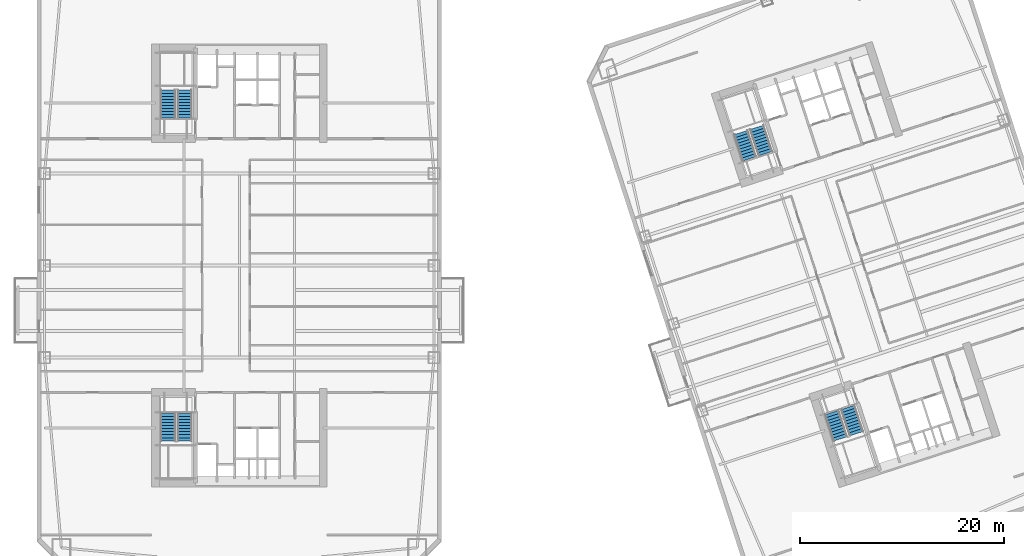
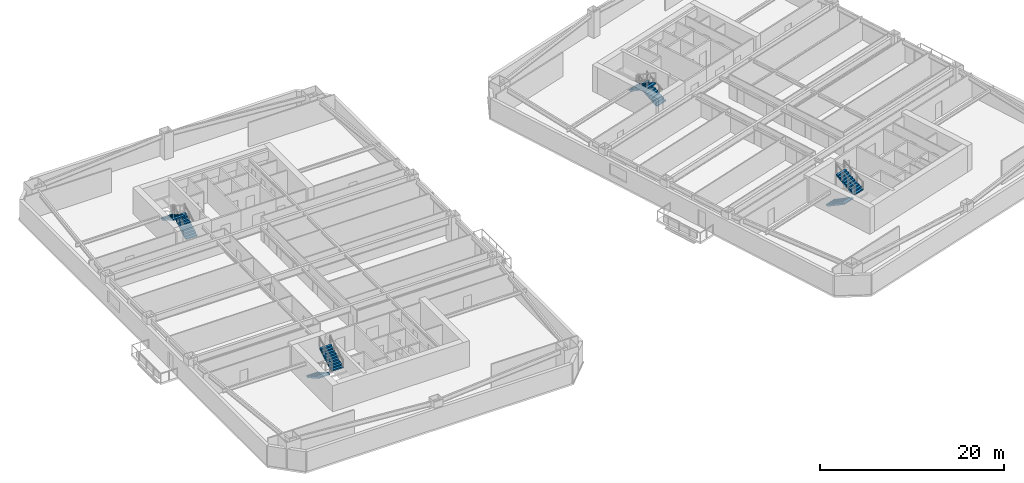
# One storey, part 10 of 15: 8 stair flights, 4 elements without a shape of their own.
"""IFC4 building model written with IfcOpenShell, lengths in metres."""

from ifc_helpers import new_model, si_unit, direction, frame, origin, place, context, subcontext, project, spatial, polyline, outline, extrude, material, type_object, element, aggregate, save


model = new_model("IFC4")

# Units and contexts
model_context = context("Model", 3, precision=1e-05, world=origin(), true_north=direction((0.0, 1.0)))
body_context = subcontext(model_context, "Body", "Model", "MODEL_VIEW")
ifc_project = project(units=[si_unit("LENGTHUNIT", "METRE"), si_unit("AREAUNIT", "SQUARE_METRE"), si_unit("VOLUMEUNIT", "CUBIC_METRE"), si_unit("PLANEANGLEUNIT", "RADIAN"), si_unit("MASSUNIT", "GRAM", prefix="KILO")], contexts=[model_context])

# Site, building, storey
site_placement = place(None, origin())
site = spatial("IfcSite", under=ifc_project, at=site_placement, CompositionType="ELEMENT")
building_placement = place(site_placement, origin())
building = spatial("IfcBuilding", under=site, at=building_placement, Name="Qiaolan Cultural Towers", CompositionType="ELEMENT")
storey_placement = place(building_placement, frame((0.0, 0.0, 60.949951171875)))
storey = spatial("IfcBuildingStorey", under=building, at=storey_placement, Name="L14", CompositionType="ELEMENT", Elevation=60.949951171875)

# Stair, stair flights
ifc_material_1 = material(Name="Concrete C45", Category="concrete")
stair_type = type_object("IfcStairType", Name="STR-CORE-1500", PredefinedType="HALF_TURN_STAIR", material=ifc_material_1)
stair_1_placement = place(storey_placement, origin())
stair_1 = element("IfcStair", 1, at=stair_1_placement, inside=storey, type_object=stair_type, Name="L14 Smokeproof Exit Stair ST-W1", PredefinedType="HALF_TURN_STAIR")
ifc_material_2 = material(Name="Concrete C45", Category="concrete")
stair_flight_type = type_object("IfcStairFlightType", Name="STR-CORE-1500-FL", PredefinedType="STRAIGHT", material=ifc_material_2)
stair_flight_1_placement = place(storey_placement, frame((23.02001953125, 19.550048828125, 0.0), z_axis=(0.0, 0.0, 1.0), x_axis=(0.0, -1.0, 0.0)))
stair_flight_1 = element("IfcStairFlight", 2, at=stair_flight_1_placement, type_object=stair_flight_type, Name="ST-W1 flight 1", NumberOfRisers=10, NumberOfTreads=9, PredefinedType="STRAIGHT", RiserHeight=0.1725, TreadLength=0.3, context=body_context, shape_type="SweptSolid", body=[
    extrude(outline(polyline([(0.0, 0.0), (0.0, 0.172607421875), (0.300048828125, 0.172607421875), (0.300048828125, 0.344970703125), (0.60009765625, 0.344970703125), (0.60009765625, 0.517578125), (0.89990234375, 0.517578125), (0.89990234375, 0.68994140625), (1.199951171875, 0.68994140625), (1.199951171875, 0.862548828125), (1.5, 0.862548828125), (1.5, 1.034912109375), (1.800048828125, 1.034912109375), (1.800048828125, 1.20751953125), (2.10009765625, 1.20751953125), (2.10009765625, 1.3798828125), (2.39990234375, 1.3798828125), (2.39990234375, 1.552490234375), (2.699951171875, 1.552490234375), (2.699951171875, 1.72509765625), (2.699951171875, 1.379638671875), (0.30078125, 0.0), (0.0, 0.0)])), frame((0.0, 0.719970703125, 0.0), z_axis=(0.0, -1.0, 0.0), x_axis=(1.0, 0.0, 0.0)), (0.0, 0.0, 1.0), 1.43994140625),
])
stair_flight_2_placement = place(storey_placement, frame((24.659912109375, 16.85009765625, 1.72509765625), z_axis=(0.0, 0.0, 1.0), x_axis=(0.0, 1.0, 0.0)))
stair_flight_2 = element("IfcStairFlight", 3, at=stair_flight_2_placement, type_object=stair_flight_type, Name="ST-W1 flight 2", NumberOfRisers=10, NumberOfTreads=9, PredefinedType="STRAIGHT", RiserHeight=0.1725, TreadLength=0.3, context=body_context, shape_type="SweptSolid", body=[
    extrude(outline(polyline([(0.0, 0.0), (0.0, 0.172607421875), (0.300048828125, 0.172607421875), (0.300048828125, 0.344970703125), (0.60009765625, 0.344970703125), (0.60009765625, 0.517578125), (0.89990234375, 0.517578125), (0.89990234375, 0.68994140625), (1.199951171875, 0.68994140625), (1.199951171875, 0.862548828125), (1.5, 0.862548828125), (1.5, 1.034912109375), (1.800048828125, 1.034912109375), (1.800048828125, 1.20751953125), (2.10009765625, 1.20751953125), (2.10009765625, 1.3798828125), (2.39990234375, 1.3798828125), (2.39990234375, 1.552490234375), (2.699951171875, 1.552490234375), (2.699951171875, 1.72509765625), (2.699951171875, 1.379638671875), (0.30078125, 0.0), (0.0, 0.0)])), frame((0.0, 0.719970703125, 0.0), z_axis=(0.0, -1.0, 0.0), x_axis=(1.0, 0.0, 0.0)), (0.0, 0.0, 1.0), 1.43994140625),
])
aggregate(stair_1, [stair_flight_1, stair_flight_2])

stair_2_placement = place(storey_placement, origin())
stair_2 = element("IfcStair", 4, at=stair_2_placement, inside=storey, type_object=stair_type, Name="L14 Smokeproof Exit Stair ST-W2", PredefinedType="HALF_TURN_STAIR")
stair_flight_3_placement = place(storey_placement, frame((24.659912109375, 48.449951171875, 0.0), z_axis=(0.0, 0.0, 1.0), x_axis=(0.0, 1.0, 0.0)))
stair_flight_3 = element("IfcStairFlight", 5, at=stair_flight_3_placement, type_object=stair_flight_type, Name="ST-W2 flight 1", NumberOfRisers=10, NumberOfTreads=9, PredefinedType="STRAIGHT", RiserHeight=0.1725, TreadLength=0.3, context=body_context, shape_type="SweptSolid", body=[
    extrude(outline(polyline([(0.0, 0.0), (0.0, 0.172607421875), (0.300048828125, 0.172607421875), (0.300048828125, 0.344970703125), (0.60009765625, 0.344970703125), (0.60009765625, 0.517578125), (0.89990234375, 0.517578125), (0.89990234375, 0.68994140625), (1.199951171875, 0.68994140625), (1.199951171875, 0.862548828125), (1.5, 0.862548828125), (1.5, 1.034912109375), (1.800048828125, 1.034912109375), (1.800048828125, 1.20751953125), (2.10009765625, 1.20751953125), (2.10009765625, 1.3798828125), (2.39990234375, 1.3798828125), (2.39990234375, 1.552490234375), (2.699951171875, 1.552490234375), (2.699951171875, 1.72509765625), (2.699951171875, 1.379638671875), (0.30078125, 0.0), (0.0, 0.0)])), frame((0.0, 0.719970703125, 0.0), z_axis=(0.0, -1.0, 0.0), x_axis=(1.0, 0.0, 0.0)), (0.0, 0.0, 1.0), 1.43994140625),
])
stair_flight_4_placement = place(storey_placement, frame((23.02001953125, 51.14990234375, 1.72509765625), z_axis=(0.0, 0.0, 1.0), x_axis=(0.0, -1.0, 0.0)))
stair_flight_4 = element("IfcStairFlight", 6, at=stair_flight_4_placement, type_object=stair_flight_type, Name="ST-W2 flight 2", NumberOfRisers=10, NumberOfTreads=9, PredefinedType="STRAIGHT", RiserHeight=0.1725, TreadLength=0.3, context=body_context, shape_type="SweptSolid", body=[
    extrude(outline(polyline([(0.0, 0.0), (0.0, 0.172607421875), (0.300048828125, 0.172607421875), (0.300048828125, 0.344970703125), (0.60009765625, 0.344970703125), (0.60009765625, 0.517578125), (0.89990234375, 0.517578125), (0.89990234375, 0.68994140625), (1.199951171875, 0.68994140625), (1.199951171875, 0.862548828125), (1.5, 0.862548828125), (1.5, 1.034912109375), (1.800048828125, 1.034912109375), (1.800048828125, 1.20751953125), (2.10009765625, 1.20751953125), (2.10009765625, 1.3798828125), (2.39990234375, 1.3798828125), (2.39990234375, 1.552490234375), (2.699951171875, 1.552490234375), (2.699951171875, 1.72509765625), (2.699951171875, 1.379638671875), (0.30078125, 0.0), (0.0, 0.0)])), frame((0.0, 0.719970703125, 0.0), z_axis=(0.0, -1.0, 0.0), x_axis=(1.0, 0.0, 0.0)), (0.0, 0.0, 1.0), 1.43994140625),
])
aggregate(stair_2, [stair_flight_3, stair_flight_4])

stair_3_placement = place(storey_placement, origin())
stair_3 = element("IfcStair", 7, at=stair_3_placement, inside=storey, type_object=stair_type, Name="L14 Smokeproof Exit Stair ST-E1", PredefinedType="HALF_TURN_STAIR")
stair_flight_5_placement = place(storey_placement, frame((87.96484375, 19.6171875, 0.0), z_axis=(0.0, 0.0, 1.0), x_axis=(0.309016994375, -0.951056516295, 0.0)))
stair_flight_5 = element("IfcStairFlight", 8, at=stair_flight_5_placement, type_object=stair_flight_type, Name="ST-E1 flight 1", NumberOfRisers=10, NumberOfTreads=9, PredefinedType="STRAIGHT", RiserHeight=0.1725, TreadLength=0.3, context=body_context, shape_type="SweptSolid", body=[
    extrude(outline(polyline([(0.0, 0.0), (0.0, 0.172607421875), (0.300048828125, 0.172607421875), (0.300048828125, 0.344970703125), (0.60009765625, 0.344970703125), (0.60009765625, 0.517578125), (0.89990234375, 0.517578125), (0.89990234375, 0.68994140625), (1.199951171875, 0.68994140625), (1.199951171875, 0.862548828125), (1.5, 0.862548828125), (1.5, 1.034912109375), (1.800048828125, 1.034912109375), (1.800048828125, 1.20751953125), (2.10009765625, 1.20751953125), (2.10009765625, 1.3798828125), (2.39990234375, 1.3798828125), (2.39990234375, 1.552490234375), (2.699951171875, 1.552490234375), (2.699951171875, 1.72509765625), (2.699951171875, 1.379638671875), (0.30078125, 0.0), (0.0, 0.0)])), frame((0.0, 0.719970703125, 0.0), z_axis=(0.0, -1.0, 0.0), x_axis=(1.0, 0.0, 0.0)), (0.0, 0.0, 1.0), 1.43994140625),
])
stair_flight_6_placement = place(storey_placement, frame((90.359130859375, 17.55615234375, 1.72509765625), z_axis=(0.0, 0.0, 1.0), x_axis=(-0.309016994375, 0.951056516295, 0.0)))
stair_flight_6 = element("IfcStairFlight", 9, at=stair_flight_6_placement, type_object=stair_flight_type, Name="ST-E1 flight 2", NumberOfRisers=10, NumberOfTreads=9, PredefinedType="STRAIGHT", RiserHeight=0.1725, TreadLength=0.3, context=body_context, shape_type="SweptSolid", body=[
    extrude(outline(polyline([(0.0, 0.0), (0.0, 0.172607421875), (0.300048828125, 0.172607421875), (0.300048828125, 0.344970703125), (0.60009765625, 0.344970703125), (0.60009765625, 0.517578125), (0.89990234375, 0.517578125), (0.89990234375, 0.68994140625), (1.199951171875, 0.68994140625), (1.199951171875, 0.862548828125), (1.5, 0.862548828125), (1.5, 1.034912109375), (1.800048828125, 1.034912109375), (1.800048828125, 1.20751953125), (2.10009765625, 1.20751953125), (2.10009765625, 1.3798828125), (2.39990234375, 1.3798828125), (2.39990234375, 1.552490234375), (2.699951171875, 1.552490234375), (2.699951171875, 1.72509765625), (2.699951171875, 1.379638671875), (0.30078125, 0.0), (0.0, 0.0)])), frame((0.0, 0.719970703125, 0.0), z_axis=(0.0, -1.0, 0.0), x_axis=(1.0, 0.0, 0.0)), (0.0, 0.0, 1.0), 1.43994140625),
])
aggregate(stair_3, [stair_flight_5, stair_flight_6])

stair_4_placement = place(storey_placement, origin())
stair_4 = element("IfcStair", 10, at=stair_4_placement, inside=storey, type_object=stair_type, Name="L14 Smokeproof Exit Stair ST-E2", PredefinedType="HALF_TURN_STAIR")
stair_flight_7_placement = place(storey_placement, frame((81.459228515625, 44.946533203125, 0.0), z_axis=(0.0, 0.0, 1.0), x_axis=(-0.309016994375, 0.951056516295, 0.0)))
stair_flight_7 = element("IfcStairFlight", 11, at=stair_flight_7_placement, type_object=stair_flight_type, Name="ST-E2 flight 1", NumberOfRisers=10, NumberOfTreads=9, PredefinedType="STRAIGHT", RiserHeight=0.1725, TreadLength=0.3, context=body_context, shape_type="SweptSolid", body=[
    extrude(outline(polyline([(0.0, 0.0), (0.0, 0.172607421875), (0.300048828125, 0.172607421875), (0.300048828125, 0.344970703125), (0.60009765625, 0.344970703125), (0.60009765625, 0.517578125), (0.89990234375, 0.517578125), (0.89990234375, 0.68994140625), (1.199951171875, 0.68994140625), (1.199951171875, 0.862548828125), (1.5, 0.862548828125), (1.5, 1.034912109375), (1.800048828125, 1.034912109375), (1.800048828125, 1.20751953125), (2.10009765625, 1.20751953125), (2.10009765625, 1.3798828125), (2.39990234375, 1.3798828125), (2.39990234375, 1.552490234375), (2.699951171875, 1.552490234375), (2.699951171875, 1.72509765625), (2.699951171875, 1.379638671875), (0.30078125, 0.0), (0.0, 0.0)])), frame((0.0, 0.719970703125, 0.0), z_axis=(0.0, -1.0, 0.0), x_axis=(1.0, 0.0, 0.0)), (0.0, 0.0, 1.0), 1.43994140625),
])
stair_flight_8_placement = place(storey_placement, frame((79.065185546875, 47.007568359375, 1.72509765625), z_axis=(0.0, 0.0, 1.0), x_axis=(0.309016994375, -0.951056516295, 0.0)))
stair_flight_8 = element("IfcStairFlight", 12, at=stair_flight_8_placement, type_object=stair_flight_type, Name="ST-E2 flight 2", NumberOfRisers=10, NumberOfTreads=9, PredefinedType="STRAIGHT", RiserHeight=0.1725, TreadLength=0.3, context=body_context, shape_type="SweptSolid", body=[
    extrude(outline(polyline([(0.0, 0.0), (0.0, 0.172607421875), (0.300048828125, 0.172607421875), (0.300048828125, 0.344970703125), (0.60009765625, 0.344970703125), (0.60009765625, 0.517578125), (0.89990234375, 0.517578125), (0.89990234375, 0.68994140625), (1.199951171875, 0.68994140625), (1.199951171875, 0.862548828125), (1.5, 0.862548828125), (1.5, 1.034912109375), (1.800048828125, 1.034912109375), (1.800048828125, 1.20751953125), (2.10009765625, 1.20751953125), (2.10009765625, 1.3798828125), (2.39990234375, 1.3798828125), (2.39990234375, 1.552490234375), (2.699951171875, 1.552490234375), (2.699951171875, 1.72509765625), (2.699951171875, 1.379638671875), (0.30078125, 0.0), (0.0, 0.0)])), frame((0.0, 0.719970703125, 0.0), z_axis=(0.0, -1.0, 0.0), x_axis=(1.0, 0.0, 0.0)), (0.0, 0.0, 1.0), 1.43994140625),
])
aggregate(stair_4, [stair_flight_7, stair_flight_8])

save(model, "model.ifc")
